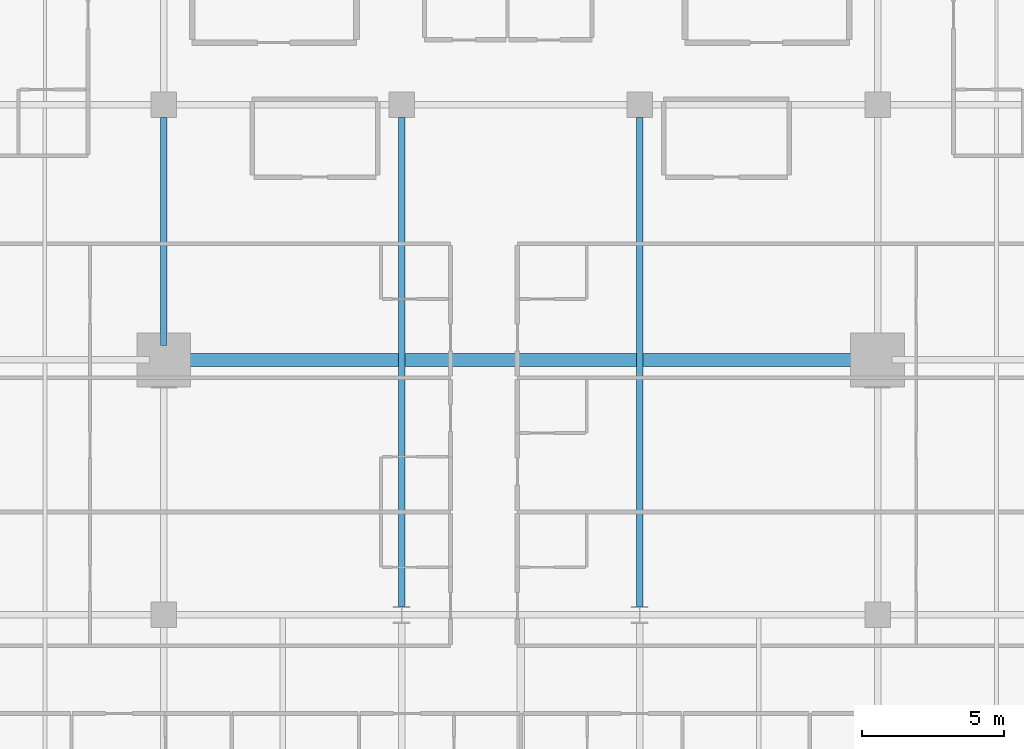
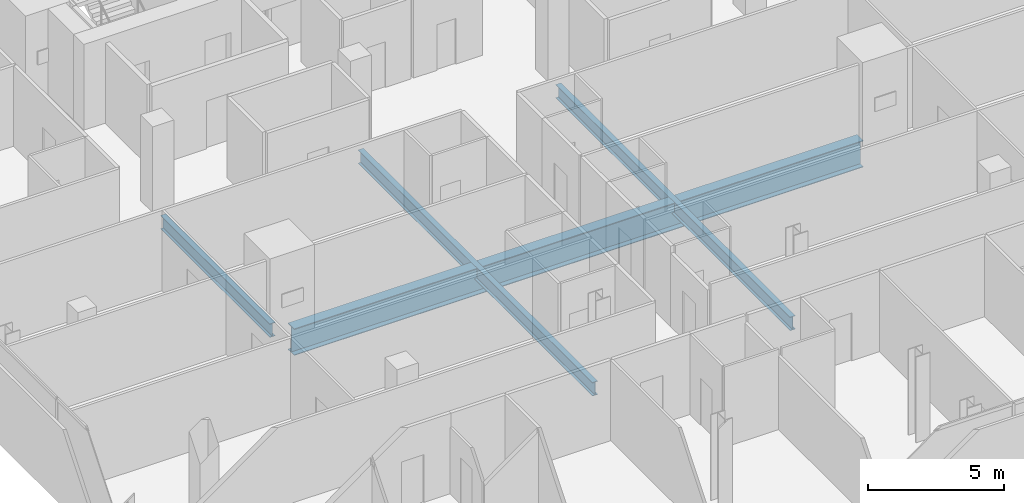
# One storey, part 11 of 34: 4 beams.
"""IFC4 building model written with IfcOpenShell, lengths in metres."""

from ifc_helpers import new_model, si_unit, direction, frame, origin, origin_2d, place, context, subcontext, project, spatial, i_section, extrude, material, material_profile, profile_set, type_object, element, save


model = new_model("IFC4")

# Units and contexts
model_context = context("Model", 3, precision=1e-05, world=origin(), true_north=direction((0.0, 1.0)))
body_context = subcontext(model_context, "Body", "Model", "MODEL_VIEW")
ifc_project = project(units=[si_unit("LENGTHUNIT", "METRE"), si_unit("AREAUNIT", "SQUARE_METRE"), si_unit("VOLUMEUNIT", "CUBIC_METRE"), si_unit("PLANEANGLEUNIT", "RADIAN"), si_unit("MASSUNIT", "GRAM", prefix="KILO")], contexts=[model_context])

# Site, building, storey
site_placement = place(None, origin())
site = spatial("IfcSite", under=ifc_project, at=site_placement, CompositionType="ELEMENT")
building_placement = place(site_placement, origin())
building = spatial("IfcBuilding", under=site, at=building_placement, Name="Maruvema Waterfront Hotel and Observation Tower", CompositionType="ELEMENT")
storey_placement = place(building_placement, frame((0.0, 0.0, 146.64990234375)))
storey = spatial("IfcBuildingStorey", under=building, at=storey_placement, Name="L35", CompositionType="ELEMENT", Elevation=146.64990234375)

# Beams
ifc_material_1 = material(Name="Steel ASTM A572 Grade 50", Category="steel")
ifc_material_profile_1 = material_profile(ifc_material_1, i_section(OverallWidth=0.22900390625, OverallDepth=0.612060546875, WebThickness=0.011962890625, FlangeThickness=0.01953125, FilletRadius=0.01806640625, at=origin_2d()), Name="W610x125.0")
ifc_profile_set_1 = profile_set([ifc_material_profile_1], Name="Steel ASTM A572 Grade 50")
beam_type_1 = type_object("IfcBeamType", Name="Primary Floor Girder W610x125.0", PredefinedType="BEAM", material=ifc_profile_set_1)
beam_1_placement = place(storey_placement, frame((25.199951171875, 27.5, -0.5458984375), z_axis=(0.0, 1.0, 0.0), x_axis=(-1.0, 0.0, 0.0)))
element("IfcBeam", 1, at=beam_1_placement, inside=storey, type_object=beam_type_1, Name="L35 Floor Girder NS-12", PredefinedType="BEAM", context=body_context, shape_type="SweptSolid", body=[
    extrude(i_section(OverallWidth=0.22900390625, OverallDepth=0.612060546875, WebThickness=0.011962890625, FlangeThickness=0.01953125, FilletRadius=0.01806640625, at=origin_2d()), origin(), (0.0, 0.0, 1.0), 8.050048828125),
])
for number, where, z_axis, x_axis, name in (
    (2, (33.60009765625, 18.300048828125, -0.5458984375), (0.0, 1.0, 0.0), (-1.0, 0.0, 0.0), "L35 Floor Girder NS-16"),
    (3, (42.0, 18.300048828125, -0.5458984375), (0.0, 1.0, 0.0), (-1.0, 0.0, 0.0), "L35 Floor Girder NS-19"),
):
    element("IfcBeam", number, at=place(storey_placement, frame(where, z_axis=z_axis, x_axis=x_axis)), inside=storey, type_object=beam_type_1, Name=name, PredefinedType="BEAM", context=body_context, shape_type="SweptSolid", body=[
        extrude(i_section(OverallWidth=0.22900390625, OverallDepth=0.612060546875, WebThickness=0.011962890625, FlangeThickness=0.01953125, FilletRadius=0.01806640625, at=origin_2d()), origin(), (0.0, 0.0, 1.0), 17.25),
    ])
ifc_material_2 = material(Name="Steel ABNT NBR 7007 AR 415 (ASTM A572 Grade 50)", Category="steel")
ifc_material_profile_2 = material_profile(ifc_material_2, i_section(OverallWidth=0.449951171875, OverallDepth=1.199951171875, WebThickness=0.01904296875, FlangeThickness=0.031982421875, at=origin_2d()), Name="VS1200x366")
ifc_profile_set_2 = profile_set([ifc_material_profile_2], Name="Steel ABNT NBR 7007 AR 415 (ASTM A572 Grade 50)")
beam_type_2 = type_object("IfcBeamType", Name="Upper Setback Transfer Girder VS1200x366", PredefinedType="USERDEFINED", material=ifc_profile_set_2)
beam_2_placement = place(storey_placement, frame((25.699951171875, 27.0, -0.83984375), z_axis=(1.0, 0.0, 0.0), x_axis=(0.0, 1.0, 0.0)))
element("IfcBeam", 4, at=beam_2_placement, inside=storey, type_object=beam_type_2, Name="L35 Floor Girder EW-20", ObjectType="TRANSFER GIRDER", PredefinedType="USERDEFINED", context=body_context, shape_type="SweptSolid", body=[
    extrude(i_section(OverallWidth=0.449951171875, OverallDepth=1.199951171875, WebThickness=0.01904296875, FlangeThickness=0.031982421875, at=origin_2d()), origin(), (0.0, 0.0, 1.0), 24.199951171875),
])

save(model, "model.ifc")
